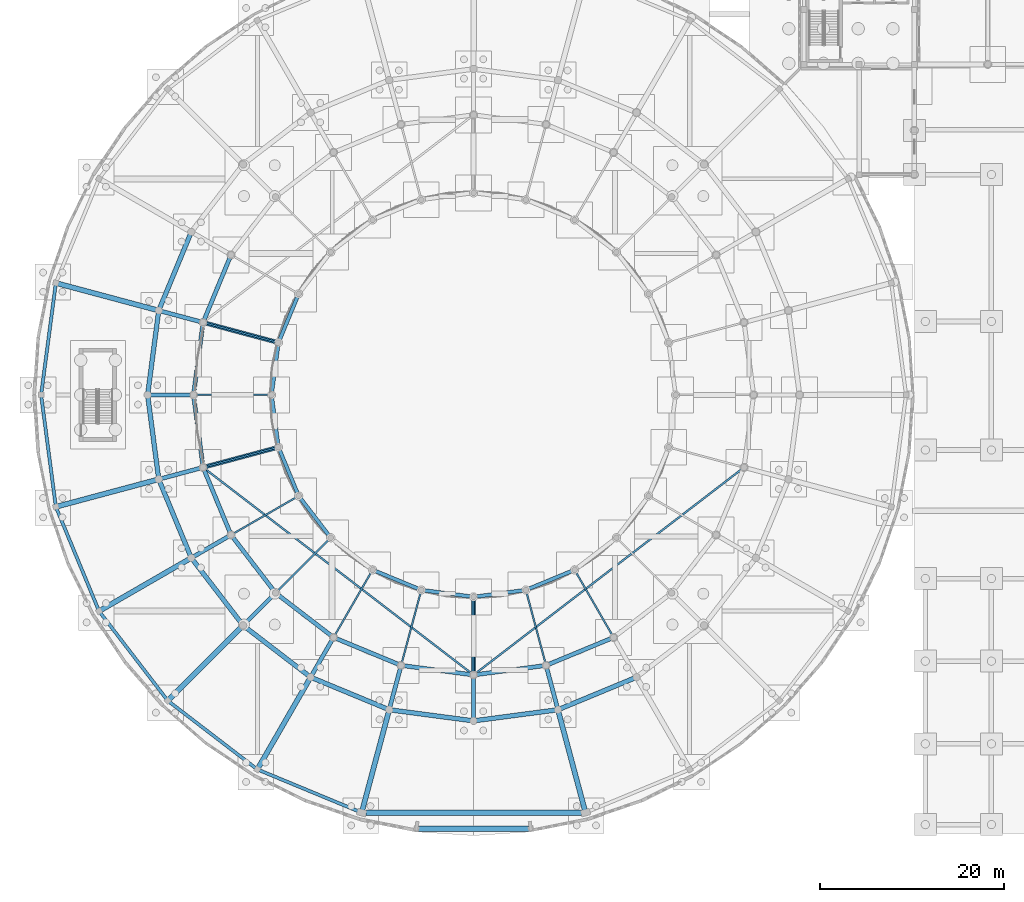
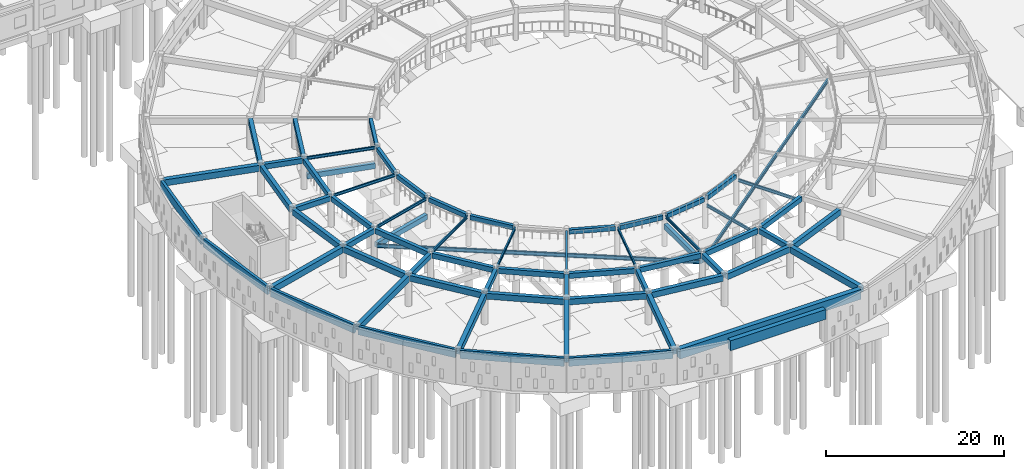
# One storey, part 22 of 84: 68 beams.
"""IFC4 building model written with IfcOpenShell, lengths in metres."""

from ifc_helpers import new_model, si_unit, direction, frame, origin, origin_2d, place, context, subcontext, project, spatial, rectangle, i_section, extrude, material, material_profile, profile_set, type_object, element, save


model = new_model("IFC4")

# Units and contexts
model_context = context("Model", 3, precision=1e-05, world=origin(), true_north=direction((0.0, 1.0)))
body_context = subcontext(model_context, "Body", "Model", "MODEL_VIEW")
ifc_project = project(units=[si_unit("LENGTHUNIT", "METRE"), si_unit("AREAUNIT", "SQUARE_METRE"), si_unit("VOLUMEUNIT", "CUBIC_METRE"), si_unit("PLANEANGLEUNIT", "RADIAN"), si_unit("MASSUNIT", "GRAM", prefix="KILO")], contexts=[model_context])

# Site, building, storey
site_placement = place(None, origin())
site = spatial("IfcSite", under=ifc_project, at=site_placement, CompositionType="ELEMENT")
building_placement = place(site_placement, origin())
building = spatial("IfcBuilding", under=site, at=building_placement, Name="Larkveld Mobility Hub", CompositionType="ELEMENT")
storey_placement = place(building_placement, origin())
storey = spatial("IfcBuildingStorey", under=building, at=storey_placement, Name="L00", CompositionType="ELEMENT", Elevation=0.0)

# Beams
ifc_material_1 = material(Name="Precast concrete C50/60", Category="concrete")
ifc_material_profile_1 = material_profile(ifc_material_1, rectangle(XDim=0.60009765625, YDim=1.35009765625, at=origin_2d()), Name="PC LIN 600x1350")
ifc_profile_set_1 = profile_set([ifc_material_profile_1], Name="Precast concrete C50/60")
beam_type_1 = type_object("IfcBeamType", Name="BM-LN60135", PredefinedType="LINTEL", material=ifc_profile_set_1)
beam_1_placement = place(storey_placement, frame((36.260009765625, 2.5048828125, 3.56005859375), z_axis=(1.0, 0.0, 0.0), x_axis=(0.0, 1.0, 0.0)))
element("IfcBeam", 1, at=beam_1_placement, inside=storey, type_object=beam_type_1, Name="Drum Entrance Portal Inner Lintel Girder L00-1360", PredefinedType="LINTEL", context=body_context, shape_type="SweptSolid", body=[
    extrude(rectangle(XDim=0.60009765625, YDim=1.35009765625, at=origin_2d()), origin(), (0.0, 0.0, 1.0), 23.47998046875),
])
beam_2_placement = place(storey_placement, frame((41.830078125, 0.758056640625, 3.824951171875), z_axis=(1.0, 0.0, 0.0), x_axis=(0.0, 1.0, 0.0)))
element("IfcBeam", 2, at=beam_2_placement, inside=storey, type_object=beam_type_1, Name="Drum Entrance Portal Deep Lintel Girder L00-1360", PredefinedType="LINTEL", context=body_context, shape_type="SweptSolid", body=[
    extrude(rectangle(XDim=0.60009765625, YDim=1.35009765625, at=origin_2d()), origin(), (0.0, 0.0, 1.0), 12.33984375),
])
ifc_material_2 = material(Name="Concrete C40/50", Category="concrete")
ifc_material_profile_2 = material_profile(ifc_material_2, rectangle(XDim=0.39990234375, YDim=0.60009765625, at=origin_2d()), Name="RC BM 400x600")
ifc_profile_set_2 = profile_set([ifc_material_profile_2], Name="Concrete C40/50")
beam_type_2 = type_object("IfcBeamType", Name="BM-RC4060", PredefinedType="BEAM", material=ifc_profile_set_2)
beam_3_placement = place(storey_placement, frame((28.85498046875, 58.778076171875, 3.93505859375), z_axis=(-0.382522527323, -0.923946165147, 0.0), x_axis=(0.923946165147, -0.382522527323, 0.0)))
element("IfcBeam", 3, at=beam_3_placement, inside=storey, type_object=beam_type_2, Name="Drum Chord Ring Beam L00-1329", PredefinedType="BEAM", context=body_context, shape_type="SweptSolid", body=[
    extrude(rectangle(XDim=0.39990234375, YDim=0.60009765625, at=origin_2d()), origin(), (0.0, 0.0, 1.0), 5.26220703125),
])
for number, where, z_axis, x_axis, name in (
    (4, (26.718994140625, 53.4560546875, 3.93505859375), (-0.130717291413, -0.991419683951, 0.0), (0.991419683951, -0.130717291413, 0.0), "Drum Chord Ring Beam L00-1333"),
    (5, (26.031005859375, 47.761962890625, 3.93505859375), (0.130717291413, -0.991419683951, 0.0), (0.991419683951, 0.130717291413, 0.0), "Drum Chord Ring Beam L00-1337"),
):
    element("IfcBeam", number, at=place(storey_placement, frame(where, z_axis=z_axis, x_axis=x_axis)), inside=storey, type_object=beam_type_2, Name=name, PredefinedType="BEAM", context=body_context, shape_type="SweptSolid", body=[
        extrude(rectangle(XDim=0.39990234375, YDim=0.60009765625, at=origin_2d()), origin(), (0.0, 0.0, 1.0), 5.26318359375),
    ])
beam_4_placement = place(storey_placement, frame((26.842041015625, 42.083984375, 3.93505859375), z_axis=(0.382522527323, -0.923946165147, 0.0), x_axis=(0.923946165147, 0.382522527323, 0.0)))
element("IfcBeam", 6, at=beam_4_placement, inside=storey, type_object=beam_type_2, Name="Drum Chord Ring Beam L00-1341", PredefinedType="BEAM", context=body_context, shape_type="SweptSolid", body=[
    extrude(rectangle(XDim=0.39990234375, YDim=0.60009765625, at=origin_2d()), origin(), (0.0, 0.0, 1.0), 5.26220703125),
])
beam_5_placement = place(storey_placement, frame((29.093017578125, 36.81005859375, 3.93505859375), z_axis=(0.608845256975, -0.793289009793, 0.0), x_axis=(0.793289009793, 0.608845256975, 0.0)))
element("IfcBeam", 7, at=beam_5_placement, inside=storey, type_object=beam_type_2, Name="Drum Chord Ring Beam L00-1345", PredefinedType="BEAM", context=body_context, shape_type="SweptSolid", body=[
    extrude(rectangle(XDim=0.39990234375, YDim=0.60009765625, at=origin_2d()), origin(), (0.0, 0.0, 1.0), 5.26416015625),
])
beam_6_placement = place(storey_placement, frame((37.221923828125, 28.85498046875, 3.93505859375), z_axis=(0.923946165147, -0.382522527323, 0.0), x_axis=(0.382522527323, 0.923946165147, 0.0)))
element("IfcBeam", 8, at=beam_6_placement, inside=storey, type_object=beam_type_2, Name="Drum Chord Ring Beam L00-1353", PredefinedType="BEAM", context=body_context, shape_type="SweptSolid", body=[
    extrude(rectangle(XDim=0.39990234375, YDim=0.60009765625, at=origin_2d()), origin(), (0.0, 0.0, 1.0), 5.26220703125),
])
for number, where, z_axis, x_axis, name in (
    (9, (42.5439453125, 26.718994140625, 3.93505859375), (0.991419683951, -0.130717291413, 0.0), (0.130717291413, 0.991419683951, 0.0), "Drum Chord Ring Beam L00-1357"),
    (10, (48.238037109375, 26.031005859375, 3.93505859375), (0.991419683951, 0.130717291413, 0.0), (-0.130717291413, 0.991419683951, 0.0), "Drum Chord Ring Beam L00-1361"),
):
    element("IfcBeam", number, at=place(storey_placement, frame(where, z_axis=z_axis, x_axis=x_axis)), inside=storey, type_object=beam_type_2, Name=name, PredefinedType="BEAM", context=body_context, shape_type="SweptSolid", body=[
        extrude(rectangle(XDim=0.39990234375, YDim=0.60009765625, at=origin_2d()), origin(), (0.0, 0.0, 1.0), 5.26318359375),
    ])
beam_7_placement = place(storey_placement, frame((53.916015625, 26.842041015625, 3.93505859375), z_axis=(0.923946165147, 0.382522527323, 0.0), x_axis=(-0.382522527323, 0.923946165147, 0.0)))
element("IfcBeam", 11, at=beam_7_placement, inside=storey, type_object=beam_type_2, Name="Drum Chord Ring Beam L00-1364", PredefinedType="BEAM", context=body_context, shape_type="SweptSolid", body=[
    extrude(rectangle(XDim=0.39990234375, YDim=0.60009765625, at=origin_2d()), origin(), (0.0, 0.0, 1.0), 5.26220703125),
])
ifc_material_profile_3 = material_profile(ifc_material_2, rectangle(XDim=0.449951171875, YDim=0.699951171875, at=origin_2d()), Name="RC BM 450x700")
ifc_profile_set_3 = profile_set([ifc_material_profile_3], Name="Concrete C40/50")
beam_type_3 = type_object("IfcBeamType", Name="BM-RC4570", PredefinedType="BEAM", material=ifc_profile_set_3)
beam_8_placement = place(storey_placement, frame((18.306884765625, 55.9560546875, 3.885009765625), z_axis=(-0.96590777444, 0.258886406125, 0.0), x_axis=(-0.258886406125, -0.96590777444, 0.0)))
element("IfcBeam", 12, at=beam_8_placement, inside=storey, type_object=beam_type_3, Name="Drum Radial Girder L00-1253", PredefinedType="BEAM", context=body_context, shape_type="SweptSolid", body=[
    extrude(rectangle(XDim=0.449951171875, YDim=0.699951171875, at=origin_2d()), origin(), (0.0, 0.0, 1.0), 4.51904296875),
])
beam_9_placement = place(storey_placement, frame((17.260009765625, 48.0, 3.885009765625), z_axis=(-1.0, 0.0, 0.0), x_axis=(0.0, -1.0, 0.0)))
element("IfcBeam", 13, at=beam_9_placement, inside=storey, type_object=beam_type_3, Name="Drum Radial Girder L00-1256", PredefinedType="BEAM", context=body_context, shape_type="SweptSolid", body=[
    extrude(rectangle(XDim=0.449951171875, YDim=0.699951171875, at=origin_2d()), origin(), (0.0, 0.0, 1.0), 4.52001953125),
])
beam_10_placement = place(storey_placement, frame((18.306884765625, 40.0439453125, 3.885009765625), z_axis=(-0.96590777444, -0.258886406125, 0.0), x_axis=(0.258886406125, -0.96590777444, 0.0)))
element("IfcBeam", 14, at=beam_10_placement, inside=storey, type_object=beam_type_3, Name="Drum Radial Girder L00-1258", PredefinedType="BEAM", context=body_context, shape_type="SweptSolid", body=[
    extrude(rectangle(XDim=0.449951171875, YDim=0.699951171875, at=origin_2d()), origin(), (0.0, 0.0, 1.0), 4.51904296875),
])
beam_11_placement = place(storey_placement, frame((21.3779296875, 32.6298828125, 3.885009765625), z_axis=(-0.86601375827, -0.50002017008, 0.0), x_axis=(0.50002017008, -0.86601375827, 0.0)))
element("IfcBeam", 15, at=beam_11_placement, inside=storey, type_object=beam_type_3, Name="Drum Radial Girder L00-1261", PredefinedType="BEAM", context=body_context, shape_type="SweptSolid", body=[
    extrude(rectangle(XDim=0.449951171875, YDim=0.699951171875, at=origin_2d()), origin(), (0.0, 0.0, 1.0), 4.519287109375),
])
beam_12_placement = place(storey_placement, frame((26.262939453125, 26.262939453125, 3.885009765625), z_axis=(-0.707106781187, -0.707106781187, 0.0), x_axis=(0.707106781187, -0.707106781187, 0.0)))
element("IfcBeam", 16, at=beam_12_placement, inside=storey, type_object=beam_type_3, Name="Drum Radial Girder L00-1264", PredefinedType="BEAM", context=body_context, shape_type="SweptSolid", body=[
    extrude(rectangle(XDim=0.449951171875, YDim=0.699951171875, at=origin_2d()), origin(), (0.0, 0.0, 1.0), 4.51806640625),
])
beam_13_placement = place(storey_placement, frame((32.6298828125, 21.3779296875, 3.885009765625), z_axis=(-0.50002017008, -0.86601375827, 0.0), x_axis=(0.86601375827, -0.50002017008, 0.0)))
element("IfcBeam", 17, at=beam_13_placement, inside=storey, type_object=beam_type_3, Name="Drum Radial Girder L00-1267", PredefinedType="BEAM", context=body_context, shape_type="SweptSolid", body=[
    extrude(rectangle(XDim=0.449951171875, YDim=0.699951171875, at=origin_2d()), origin(), (0.0, 0.0, 1.0), 4.519287109375),
])
beam_14_placement = place(storey_placement, frame((40.0439453125, 18.306884765625, 3.885009765625), z_axis=(-0.258886406125, -0.96590777444, 0.0), x_axis=(0.96590777444, -0.258886406125, 0.0)))
element("IfcBeam", 18, at=beam_14_placement, inside=storey, type_object=beam_type_3, Name="Drum Radial Girder L00-1270", PredefinedType="BEAM", context=body_context, shape_type="SweptSolid", body=[
    extrude(rectangle(XDim=0.449951171875, YDim=0.699951171875, at=origin_2d()), origin(), (0.0, 0.0, 1.0), 4.51904296875),
])
beam_15_placement = place(storey_placement, frame((48.0, 17.260009765625, 3.885009765625), z_axis=(0.0, -1.0, 0.0), x_axis=(1.0, 0.0, 0.0)))
element("IfcBeam", 19, at=beam_15_placement, inside=storey, type_object=beam_type_3, Name="Drum Radial Girder L00-1273", PredefinedType="BEAM", context=body_context, shape_type="SweptSolid", body=[
    extrude(rectangle(XDim=0.449951171875, YDim=0.699951171875, at=origin_2d()), origin(), (0.0, 0.0, 1.0), 4.52001953125),
])
beam_16_placement = place(storey_placement, frame((55.9560546875, 18.306884765625, 3.885009765625), z_axis=(0.258886406125, -0.96590777444, 0.0), x_axis=(0.96590777444, 0.258886406125, 0.0)))
element("IfcBeam", 20, at=beam_16_placement, inside=storey, type_object=beam_type_3, Name="Drum Radial Girder L00-1275", PredefinedType="BEAM", context=body_context, shape_type="SweptSolid", body=[
    extrude(rectangle(XDim=0.449951171875, YDim=0.699951171875, at=origin_2d()), origin(), (0.0, 0.0, 1.0), 4.51904296875),
])
beam_17_placement = place(storey_placement, frame((21.493896484375, 63.028076171875, 3.885009765625), z_axis=(-0.382649607255, -0.923893542605, 0.0), x_axis=(0.923893542605, -0.382649607255, 0.0)))
element("IfcBeam", 21, at=beam_17_placement, inside=storey, type_object=beam_type_3, Name="Drum Chord Ring Beam L00-1330", PredefinedType="BEAM", context=body_context, shape_type="SweptSolid", body=[
    extrude(rectangle(XDim=0.449951171875, YDim=0.699951171875, at=origin_2d()), origin(), (0.0, 0.0, 1.0), 7.4814453125),
])
for number, where, z_axis, x_axis, name in (
    (22, (18.508056640625, 55.656005859375, 3.885009765625), (-0.1305861874, -0.991436961012, 0.0), (0.991436961012, -0.1305861874, 0.0), "Drum Chord Ring Beam L00-1334"),
    (23, (17.531005859375, 47.761962890625, 3.885009765625), (0.1305861874, -0.991436961012, 0.0), (0.991436961012, 0.1305861874, 0.0), "Drum Chord Ring Beam L00-1338"),
):
    element("IfcBeam", number, at=place(storey_placement, frame(where, z_axis=z_axis, x_axis=x_axis)), inside=storey, type_object=beam_type_3, Name=name, PredefinedType="BEAM", context=body_context, shape_type="SweptSolid", body=[
        extrude(rectangle(XDim=0.449951171875, YDim=0.699951171875, at=origin_2d()), origin(), (0.0, 0.0, 1.0), 7.48193359375),
    ])
beam_18_placement = place(storey_placement, frame((18.631103515625, 39.884033203125, 3.885009765625), z_axis=(0.382649607255, -0.923893542605, 0.0), x_axis=(0.923893542605, 0.382649607255, 0.0)))
element("IfcBeam", 24, at=beam_18_placement, inside=storey, type_object=beam_type_3, Name="Drum Chord Ring Beam L00-1342", PredefinedType="BEAM", context=body_context, shape_type="SweptSolid", body=[
    extrude(rectangle(XDim=0.449951171875, YDim=0.699951171875, at=origin_2d()), origin(), (0.0, 0.0, 1.0), 7.4814453125),
])
for number, where, z_axis, x_axis, name in (
    (25, (21.73193359375, 32.56005859375, 3.885009765625), (0.608723281143, -0.793382610721, 0.0), (0.793382610721, 0.608723281143, 0.0), "Drum Chord Ring Beam L00-1346"),
    (26, (26.623046875, 26.287109375, 3.885009765625), (0.793382610721, -0.608723281143, 0.0), (0.608723281143, 0.793382610721, 0.0), "Drum Chord Ring Beam L00-1350"),
):
    element("IfcBeam", number, at=place(storey_placement, frame(where, z_axis=z_axis, x_axis=x_axis)), inside=storey, type_object=beam_type_3, Name=name, PredefinedType="BEAM", context=body_context, shape_type="SweptSolid", body=[
        extrude(rectangle(XDim=0.449951171875, YDim=0.699951171875, at=origin_2d()), origin(), (0.0, 0.0, 1.0), 7.483154296875),
    ])
beam_19_placement = place(storey_placement, frame((32.971923828125, 21.493896484375, 3.885009765625), z_axis=(0.923893542605, -0.382649607255, 0.0), x_axis=(0.382649607255, 0.923893542605, 0.0)))
element("IfcBeam", 27, at=beam_19_placement, inside=storey, type_object=beam_type_3, Name="Drum Chord Ring Beam L00-1354", PredefinedType="BEAM", context=body_context, shape_type="SweptSolid", body=[
    extrude(rectangle(XDim=0.449951171875, YDim=0.699951171875, at=origin_2d()), origin(), (0.0, 0.0, 1.0), 7.4814453125),
])
for number, where, z_axis, x_axis, name in (
    (28, (40.343994140625, 18.508056640625, 3.885009765625), (0.991436961012, -0.1305861874, 0.0), (0.1305861874, 0.991436961012, 0.0), "Drum Chord Ring Beam L00-1358"),
    (29, (48.238037109375, 17.531005859375, 3.885009765625), (0.991436961012, 0.1305861874, 0.0), (-0.1305861874, 0.991436961012, 0.0), "Drum Chord Ring Beam L00-1362"),
):
    element("IfcBeam", number, at=place(storey_placement, frame(where, z_axis=z_axis, x_axis=x_axis)), inside=storey, type_object=beam_type_3, Name=name, PredefinedType="BEAM", context=body_context, shape_type="SweptSolid", body=[
        extrude(rectangle(XDim=0.449951171875, YDim=0.699951171875, at=origin_2d()), origin(), (0.0, 0.0, 1.0), 7.48193359375),
    ])
beam_20_placement = place(storey_placement, frame((56.115966796875, 18.631103515625, 3.885009765625), z_axis=(0.923893542605, 0.382649607255, 0.0), x_axis=(-0.382649607255, 0.923893542605, 0.0)))
element("IfcBeam", 30, at=beam_20_placement, inside=storey, type_object=beam_type_3, Name="Drum Chord Ring Beam L00-1365", PredefinedType="BEAM", context=body_context, shape_type="SweptSolid", body=[
    extrude(rectangle(XDim=0.449951171875, YDim=0.699951171875, at=origin_2d()), origin(), (0.0, 0.0, 1.0), 7.4814453125),
])
for number, where, z_axis, x_axis, name in (
    (31, (26.47998046875, 53.76611328125, 1.655029296875), (-0.965910174028, 0.258877453071, 0.0), (-0.258877453071, -0.965910174028, 0.0), "Helical Ramp Radial Support Girder L00-1751"),
    (32, (26.47998046875, 42.23388671875, 1.655029296875), (-0.965910174028, -0.258877453071, 0.0), (0.258877453071, -0.965910174028, 0.0), "Helical Ramp Radial Support Girder L00-1752"),
):
    element("IfcBeam", number, at=place(storey_placement, frame(where, z_axis=z_axis, x_axis=x_axis)), inside=storey, type_object=beam_type_3, Name=name, PredefinedType="BEAM", context=body_context, shape_type="SweptSolid", body=[
        extrude(rectangle(XDim=0.449951171875, YDim=0.699951171875, at=origin_2d()), origin(), (0.0, 0.0, 1.0), 7.941650390625),
    ])
beam_21_placement = place(storey_placement, frame((48.0, 25.719970703125, 2.780029296875), z_axis=(0.0, -1.0, 0.0), x_axis=(1.0, 0.0, 0.0)))
element("IfcBeam", 33, at=beam_21_placement, inside=storey, type_object=beam_type_3, Name="Helical Ramp Radial Support Girder L00-1753", PredefinedType="BEAM", context=body_context, shape_type="SweptSolid", body=[
    extrude(rectangle(XDim=0.449951171875, YDim=0.699951171875, at=origin_2d()), origin(), (0.0, 0.0, 1.0), 7.93994140625),
])
ifc_material_profile_4 = material_profile(ifc_material_2, rectangle(XDim=0.5, YDim=0.800048828125, at=origin_2d()), Name="RC BM 500x800")
ifc_profile_set_4 = profile_set([ifc_material_profile_4], Name="Concrete C40/50")
beam_type_4 = type_object("IfcBeamType", Name="BM-RC5080", PredefinedType="BEAM", material=ifc_profile_set_4)
beam_22_placement = place(storey_placement, frame((17.1640625, 65.528076171875, 3.8349609375), z_axis=(-0.382625816799, -0.923903395556, 0.0), x_axis=(0.923903395556, -0.382625816799, 0.0)))
element("IfcBeam", 34, at=beam_22_placement, inside=storey, type_object=beam_type_4, Name="Drum Chord Ring Beam L00-1331", PredefinedType="BEAM", context=body_context, shape_type="SweptSolid", body=[
    extrude(rectangle(XDim=0.5, YDim=0.800048828125, at=origin_2d()), origin(), (0.0, 0.0, 1.0), 8.786865234375),
])
for number, where, z_axis, x_axis, name in (
    (35, (13.678955078125, 56.949951171875, 3.8349609375), (-0.130638498674, -0.991430069478, 0.0), (0.991430069478, -0.130638498674, 0.0), "Drum Chord Ring Beam L00-1335"),
    (36, (12.531005859375, 47.761962890625, 3.8349609375), (0.130638498674, -0.991430069478, 0.0), (0.991430069478, 0.130638498674, 0.0), "Drum Chord Ring Beam L00-1339"),
):
    element("IfcBeam", number, at=place(storey_placement, frame(where, z_axis=z_axis, x_axis=x_axis)), inside=storey, type_object=beam_type_4, Name=name, PredefinedType="BEAM", context=body_context, shape_type="SweptSolid", body=[
        extrude(rectangle(XDim=0.5, YDim=0.800048828125, at=origin_2d()), origin(), (0.0, 0.0, 1.0), 8.787109375),
    ])
beam_23_placement = place(storey_placement, frame((13.802001953125, 38.590087890625, 3.8349609375), z_axis=(0.382625816799, -0.923903395556, 0.0), x_axis=(0.923903395556, 0.382625816799, 0.0)))
element("IfcBeam", 37, at=beam_23_placement, inside=storey, type_object=beam_type_4, Name="Drum Chord Ring Beam L00-1343", PredefinedType="BEAM", context=body_context, shape_type="SweptSolid", body=[
    extrude(rectangle(XDim=0.5, YDim=0.800048828125, at=origin_2d()), origin(), (0.0, 0.0, 1.0), 8.786865234375),
])
for number, where, z_axis, x_axis, name in (
    (38, (17.402099609375, 30.06005859375, 3.8349609375), (0.608755761591, -0.793357689021, 0.0), (0.793357689021, 0.608755761591, 0.0), "Drum Chord Ring Beam L00-1347"),
    (39, (23.087890625, 22.751953125, 3.8349609375), (0.793357689021, -0.608755761591, 0.0), (0.608755761591, 0.793357689021, 0.0), "Drum Chord Ring Beam L00-1351"),
):
    element("IfcBeam", number, at=place(storey_placement, frame(where, z_axis=z_axis, x_axis=x_axis)), inside=storey, type_object=beam_type_4, Name=name, PredefinedType="BEAM", context=body_context, shape_type="SweptSolid", body=[
        extrude(rectangle(XDim=0.5, YDim=0.800048828125, at=origin_2d()), origin(), (0.0, 0.0, 1.0), 8.7880859375),
    ])
beam_24_placement = place(storey_placement, frame((30.471923828125, 17.1640625, 3.8349609375), z_axis=(0.923903395556, -0.382625816799, 0.0), x_axis=(0.382625816799, 0.923903395556, 0.0)))
element("IfcBeam", 40, at=beam_24_placement, inside=storey, type_object=beam_type_4, Name="Drum Chord Ring Beam L00-1355", PredefinedType="BEAM", context=body_context, shape_type="SweptSolid", body=[
    extrude(rectangle(XDim=0.5, YDim=0.800048828125, at=origin_2d()), origin(), (0.0, 0.0, 1.0), 8.786865234375),
])
for number, where, z_axis, x_axis, name in (
    (41, (39.050048828125, 13.678955078125, 3.8349609375), (0.991430069478, -0.130638498674, 0.0), (0.130638498674, 0.991430069478, 0.0), "Drum Chord Ring Beam L00-1359"),
    (42, (48.238037109375, 12.531005859375, 3.8349609375), (0.991430069478, 0.130638498674, 0.0), (-0.130638498674, 0.991430069478, 0.0), "Drum Chord Ring Beam L00-1363"),
):
    element("IfcBeam", number, at=place(storey_placement, frame(where, z_axis=z_axis, x_axis=x_axis)), inside=storey, type_object=beam_type_4, Name=name, PredefinedType="BEAM", context=body_context, shape_type="SweptSolid", body=[
        extrude(rectangle(XDim=0.5, YDim=0.800048828125, at=origin_2d()), origin(), (0.0, 0.0, 1.0), 8.787109375),
    ])
beam_25_placement = place(storey_placement, frame((57.409912109375, 13.802001953125, 3.8349609375), z_axis=(0.923903395556, 0.382625816799, 0.0), x_axis=(-0.382625816799, 0.923903395556, 0.0)))
element("IfcBeam", 43, at=beam_25_placement, inside=storey, type_object=beam_type_4, Name="Drum Chord Ring Beam L00-1366", PredefinedType="BEAM", context=body_context, shape_type="SweptSolid", body=[
    extrude(rectangle(XDim=0.5, YDim=0.800048828125, at=origin_2d()), origin(), (0.0, 0.0, 1.0), 8.786865234375),
])
ifc_material_profile_5 = material_profile(ifc_material_2, rectangle(XDim=0.550048828125, YDim=0.85009765625, at=origin_2d()), Name="RC BM 550x850")
ifc_profile_set_5 = profile_set([ifc_material_profile_5], Name="Concrete C40/50")
beam_type_5 = type_object("IfcBeamType", Name="BM-RC5585", PredefinedType="BEAM", material=ifc_profile_set_5)
for number, where, z_axis, x_axis, name in (
    (44, (13.47802734375, 57.25, 3.81005859375), (-0.965928157481, 0.258810344821, 0.0), (-0.258810344821, -0.965928157481, 0.0), "Drum Radial Girder L00-1254"),
    (45, (13.47802734375, 38.75, 3.81005859375), (-0.965928157481, -0.258810344821, 0.0), (0.258810344821, -0.965928157481, 0.0), "Drum Radial Girder L00-1259"),
    (46, (17.048095703125, 30.1298828125, 3.81005859375), (-0.866030930781, -0.499990426839, 0.0), (0.499990426839, -0.866030930781, 0.0), "Drum Radial Girder L00-1262"),
):
    element("IfcBeam", number, at=place(storey_placement, frame(where, z_axis=z_axis, x_axis=x_axis)), inside=storey, type_object=beam_type_5, Name=name, PredefinedType="BEAM", context=body_context, shape_type="SweptSolid", body=[
        extrude(rectangle(XDim=0.550048828125, YDim=0.85009765625, at=origin_2d()), origin(), (0.0, 0.0, 1.0), 11.119873046875),
    ])
beam_26_placement = place(storey_placement, frame((22.72802734375, 22.72802734375, 3.81005859375), z_axis=(-0.707106781187, -0.707106781187, 0.0), x_axis=(0.707106781187, -0.707106781187, 0.0)))
element("IfcBeam", 47, at=beam_26_placement, inside=storey, type_object=beam_type_5, Name="Drum Radial Girder L00-1265", PredefinedType="BEAM", context=body_context, shape_type="SweptSolid", body=[
    extrude(rectangle(XDim=0.550048828125, YDim=0.85009765625, at=origin_2d()), origin(), (0.0, 0.0, 1.0), 11.1201171875),
])
for number, where, z_axis, x_axis, name in (
    (48, (30.1298828125, 17.048095703125, 3.81005859375), (-0.499990426839, -0.866030930781, 0.0), (0.866030930781, -0.499990426839, 0.0), "Drum Radial Girder L00-1268"),
    (49, (38.75, 13.47802734375, 3.81005859375), (-0.258810344821, -0.965928157481, 0.0), (0.965928157481, -0.258810344821, 0.0), "Drum Radial Girder L00-1271"),
    (50, (57.25, 13.47802734375, 3.81005859375), (0.258810344821, -0.965928157481, 0.0), (0.965928157481, 0.258810344821, 0.0), "Drum Radial Girder L00-1276"),
):
    element("IfcBeam", number, at=place(storey_placement, frame(where, z_axis=z_axis, x_axis=x_axis)), inside=storey, type_object=beam_type_5, Name=name, PredefinedType="BEAM", context=body_context, shape_type="SweptSolid", body=[
        extrude(rectangle(XDim=0.550048828125, YDim=0.85009765625, at=origin_2d()), origin(), (0.0, 0.0, 1.0), 11.119873046875),
    ])
ifc_material_profile_6 = material_profile(ifc_material_1, rectangle(XDim=0.35009765625, YDim=1.14990234375, at=origin_2d()), Name="PC SP 350x1150")
ifc_profile_set_6 = profile_set([ifc_material_profile_6], Name="Precast concrete C50/60")
beam_type_6 = type_object("IfcBeamType", Name="BM-SP35115", PredefinedType="SPANDREL", material=ifc_profile_set_6)
for number, where, z_axis, x_axis, name in (
    (51, (2.47412109375, 59.951904296875, 3.659912109375), (-0.130613798255, -0.991433323883, 0.0), (0.991433323883, -0.130613798255, 0.0), "Drum Chord Ring Beam L00-1336"),
    (52, (0.930908203125, 47.761962890625, 3.659912109375), (0.130613798255, -0.991433323883, 0.0), (0.991433323883, 0.130613798255, 0.0), "Drum Chord Ring Beam L00-1340"),
):
    element("IfcBeam", number, at=place(storey_placement, frame(where, z_axis=z_axis, x_axis=x_axis)), inside=storey, type_object=beam_type_6, Name=name, PredefinedType="SPANDREL", context=body_context, shape_type="SweptSolid", body=[
        extrude(rectangle(XDim=0.35009765625, YDim=1.14990234375, at=origin_2d()), origin(), (0.0, 0.0, 1.0), 11.815185546875),
    ])
beam_27_placement = place(storey_placement, frame((2.596923828125, 35.587890625, 3.659912109375), z_axis=(0.38264987514, -0.923893431655, 0.0), x_axis=(0.923893431655, 0.38264987514, 0.0)))
element("IfcBeam", 53, at=beam_27_placement, inside=storey, type_object=beam_type_6, Name="Drum Chord Ring Beam L00-1344", PredefinedType="SPANDREL", context=body_context, shape_type="SweptSolid", body=[
    extrude(rectangle(XDim=0.35009765625, YDim=1.14990234375, at=origin_2d()), origin(), (0.0, 0.0, 1.0), 11.81494140625),
])
for number, where, z_axis, x_axis, name in (
    (54, (7.35595703125, 24.260009765625, 3.659912109375), (0.608730786402, -0.79337685225, 0.0), (0.79337685225, 0.608730786402, 0.0), "Drum Chord Ring Beam L00-1348"),
    (55, (14.885009765625, 14.549072265625, 3.659912109375), (0.79337685225, -0.608730786402, 0.0), (0.608730786402, 0.79337685225, 0.0), "Drum Chord Ring Beam L00-1352"),
):
    element("IfcBeam", number, at=place(storey_placement, frame(where, z_axis=z_axis, x_axis=x_axis)), inside=storey, type_object=beam_type_6, Name=name, PredefinedType="SPANDREL", context=body_context, shape_type="SweptSolid", body=[
        extrude(rectangle(XDim=0.35009765625, YDim=1.14990234375, at=origin_2d()), origin(), (0.0, 0.0, 1.0), 11.816650390625),
    ])
beam_28_placement = place(storey_placement, frame((24.672119140625, 7.117919921875, 3.659912109375), z_axis=(0.923893431655, -0.38264987514, 0.0), x_axis=(0.38264987514, 0.923893431655, 0.0)))
element("IfcBeam", 56, at=beam_28_placement, inside=storey, type_object=beam_type_6, Name="Drum Chord Ring Beam L00-1356", PredefinedType="SPANDREL", context=body_context, shape_type="SweptSolid", body=[
    extrude(rectangle(XDim=0.35009765625, YDim=1.14990234375, at=origin_2d()), origin(), (0.0, 0.0, 1.0), 11.81494140625),
])
ifc_material_3 = material(Name="Steel S355JR", Category="steel")
ifc_material_profile_7 = material_profile(ifc_material_3, i_section(OverallWidth=0.179931640625, OverallDepth=0.39990234375, WebThickness=0.008544921875, FlangeThickness=0.013427734375, FilletRadius=0.02099609375, at=origin_2d()), Name="IPE 400")
ifc_profile_set_7 = profile_set([ifc_material_profile_7], Name="Steel S355JR")
beam_type_7 = type_object("IfcBeamType", Name="BM-STIPE400", PredefinedType="BEAM", material=ifc_profile_set_7)
beam_29_placement = place(storey_placement, frame((26.51806640625, 53.756103515625, 4.034912109375), z_axis=(-0.96592250653, 0.258831434294, 0.0), x_axis=(-0.258831434294, -0.96592250653, 0.0)))
element("IfcBeam", 57, at=beam_29_placement, inside=storey, type_object=beam_type_7, Name="Drum Radial Girder L00-1252", PredefinedType="BEAM", context=body_context, shape_type="SweptSolid", body=[
    extrude(i_section(OverallWidth=0.179931640625, OverallDepth=0.39990234375, WebThickness=0.008544921875, FlangeThickness=0.013427734375, FilletRadius=0.02099609375, at=origin_2d()), origin(), (0.0, 0.0, 1.0), 8.020263671875),
])
beam_30_placement = place(storey_placement, frame((25.760009765625, 48.0, 4.034912109375), z_axis=(-1.0, 0.0, 0.0), x_axis=(0.0, -1.0, 0.0)))
element("IfcBeam", 58, at=beam_30_placement, inside=storey, type_object=beam_type_7, Name="Drum Radial Girder L00-1255", PredefinedType="BEAM", context=body_context, shape_type="SweptSolid", body=[
    extrude(i_section(OverallWidth=0.179931640625, OverallDepth=0.39990234375, WebThickness=0.008544921875, FlangeThickness=0.013427734375, FilletRadius=0.02099609375, at=origin_2d()), origin(), (0.0, 0.0, 1.0), 8.02001953125),
])
beam_31_placement = place(storey_placement, frame((26.51806640625, 42.243896484375, 4.034912109375), z_axis=(-0.96592250653, -0.258831434294, 0.0), x_axis=(0.258831434294, -0.96592250653, 0.0)))
element("IfcBeam", 59, at=beam_31_placement, inside=storey, type_object=beam_type_7, Name="Drum Radial Girder L00-1257", PredefinedType="BEAM", context=body_context, shape_type="SweptSolid", body=[
    extrude(i_section(OverallWidth=0.179931640625, OverallDepth=0.39990234375, WebThickness=0.008544921875, FlangeThickness=0.013427734375, FilletRadius=0.02099609375, at=origin_2d()), origin(), (0.0, 0.0, 1.0), 8.020263671875),
])
beam_32_placement = place(storey_placement, frame((28.739013671875, 36.8798828125, 4.034912109375), z_axis=(-0.86602386286, -0.50000266895, 0.0), x_axis=(0.50000266895, -0.86602386286, 0.0)))
element("IfcBeam", 60, at=beam_32_placement, inside=storey, type_object=beam_type_7, Name="Drum Radial Girder L00-1260", PredefinedType="BEAM", context=body_context, shape_type="SweptSolid", body=[
    extrude(i_section(OverallWidth=0.179931640625, OverallDepth=0.39990234375, WebThickness=0.008544921875, FlangeThickness=0.013427734375, FilletRadius=0.02099609375, at=origin_2d()), origin(), (0.0, 0.0, 1.0), 8.01953125),
])
beam_33_placement = place(storey_placement, frame((32.27392578125, 32.27392578125, 4.034912109375), z_axis=(-0.707106781187, -0.707106781187, 0.0), x_axis=(0.707106781187, -0.707106781187, 0.0)))
element("IfcBeam", 61, at=beam_33_placement, inside=storey, type_object=beam_type_7, Name="Drum Radial Girder L00-1263", PredefinedType="BEAM", context=body_context, shape_type="SweptSolid", body=[
    extrude(i_section(OverallWidth=0.179931640625, OverallDepth=0.39990234375, WebThickness=0.008544921875, FlangeThickness=0.013427734375, FilletRadius=0.02099609375, at=origin_2d()), origin(), (0.0, 0.0, 1.0), 8.019775390625),
])
beam_34_placement = place(storey_placement, frame((36.8798828125, 28.739013671875, 4.034912109375), z_axis=(-0.50000266895, -0.86602386286, 0.0), x_axis=(0.86602386286, -0.50000266895, 0.0)))
element("IfcBeam", 62, at=beam_34_placement, inside=storey, type_object=beam_type_7, Name="Drum Radial Girder L00-1266", PredefinedType="BEAM", context=body_context, shape_type="SweptSolid", body=[
    extrude(i_section(OverallWidth=0.179931640625, OverallDepth=0.39990234375, WebThickness=0.008544921875, FlangeThickness=0.013427734375, FilletRadius=0.02099609375, at=origin_2d()), origin(), (0.0, 0.0, 1.0), 8.01953125),
])
beam_35_placement = place(storey_placement, frame((42.243896484375, 26.51806640625, 4.034912109375), z_axis=(-0.258831434294, -0.96592250653, 0.0), x_axis=(0.96592250653, -0.258831434294, 0.0)))
element("IfcBeam", 63, at=beam_35_placement, inside=storey, type_object=beam_type_7, Name="Drum Radial Girder L00-1269", PredefinedType="BEAM", context=body_context, shape_type="SweptSolid", body=[
    extrude(i_section(OverallWidth=0.179931640625, OverallDepth=0.39990234375, WebThickness=0.008544921875, FlangeThickness=0.013427734375, FilletRadius=0.02099609375, at=origin_2d()), origin(), (0.0, 0.0, 1.0), 8.020263671875),
])
beam_36_placement = place(storey_placement, frame((48.0, 25.760009765625, 4.034912109375), z_axis=(0.0, -1.0, 0.0), x_axis=(1.0, 0.0, 0.0)))
element("IfcBeam", 64, at=beam_36_placement, inside=storey, type_object=beam_type_7, Name="Drum Radial Girder L00-1272", PredefinedType="BEAM", context=body_context, shape_type="SweptSolid", body=[
    extrude(i_section(OverallWidth=0.179931640625, OverallDepth=0.39990234375, WebThickness=0.008544921875, FlangeThickness=0.013427734375, FilletRadius=0.02099609375, at=origin_2d()), origin(), (0.0, 0.0, 1.0), 8.02001953125),
])
beam_37_placement = place(storey_placement, frame((53.756103515625, 26.51806640625, 3.135009765625), z_axis=(0.258831434294, -0.96592250653, 0.0), x_axis=(0.96592250653, 0.258831434294, 0.0)))
element("IfcBeam", 65, at=beam_37_placement, inside=storey, type_object=beam_type_7, Name="Drum Radial Girder L00-1274", PredefinedType="BEAM", context=body_context, shape_type="SweptSolid", body=[
    extrude(i_section(OverallWidth=0.179931640625, OverallDepth=0.39990234375, WebThickness=0.008544921875, FlangeThickness=0.013427734375, FilletRadius=0.02099609375, at=origin_2d()), origin(), (0.0, 0.0, 1.0), 8.020263671875),
])
beam_38_placement = place(storey_placement, frame((59.1201171875, 28.739013671875, 3.360107421875), z_axis=(0.50000266895, -0.86602386286, 0.0), x_axis=(0.86602386286, 0.50000266895, 0.0)))
element("IfcBeam", 66, at=beam_38_placement, inside=storey, type_object=beam_type_7, Name="Drum Radial Girder L00-1277", PredefinedType="BEAM", context=body_context, shape_type="SweptSolid", body=[
    extrude(i_section(OverallWidth=0.179931640625, OverallDepth=0.39990234375, WebThickness=0.008544921875, FlangeThickness=0.013427734375, FilletRadius=0.02099609375, at=origin_2d()), origin(), (0.0, 0.0, 1.0), 8.01953125),
])
ifc_material_profile_8 = material_profile(ifc_material_3, i_section(OverallWidth=0.199951171875, OverallDepth=0.5, WebThickness=0.01025390625, FlangeThickness=0.01611328125, FilletRadius=0.02099609375, at=origin_2d()), Name="IPE 500")
ifc_profile_set_8 = profile_set([ifc_material_profile_8], Name="Steel S355JR")
beam_type_8 = type_object("IfcBeamType", Name="BM-STIPE500", PredefinedType="BEAM", material=ifc_profile_set_8)
for number, where, z_axis, x_axis, name in (
    (67, (18.760986328125, 39.93603515625, 1.705078125), (0.792971497257, -0.608482562579, 0.030743707905), (0.608770328015, 0.793346511764, 0.0), "Helical Ramp Stringer Beam L00-1755"),
    (68, (48.221923828125, 17.669921875, 2.830078125), (0.792971497257, 0.608482562579, 0.030743707905), (-0.608770328015, 0.793346511764, 0.0), "Helical Ramp Stringer Beam L00-1756"),
):
    element("IfcBeam", number, at=place(storey_placement, frame(where, z_axis=z_axis, x_axis=x_axis)), inside=storey, type_object=beam_type_8, Name=name, PredefinedType="BEAM", context=body_context, shape_type="SweptSolid", body=[
        extrude(i_section(OverallWidth=0.199951171875, OverallDepth=0.5, WebThickness=0.01025390625, FlangeThickness=0.01611328125, FilletRadius=0.02099609375, at=origin_2d()), origin(), (0.0, 0.0, 1.0), 36.5927734375),
    ])

save(model, "model.ifc")
